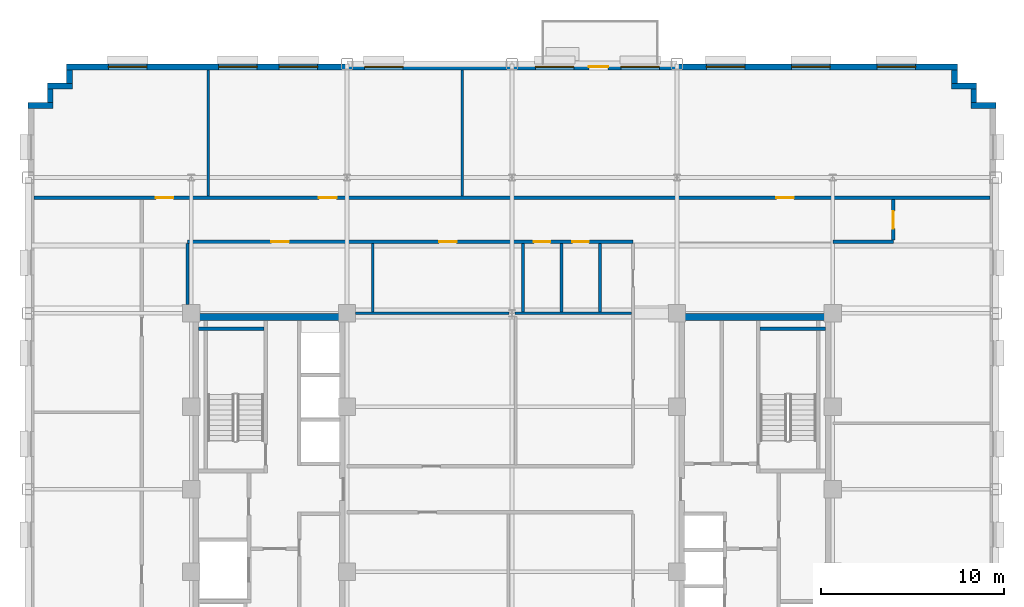
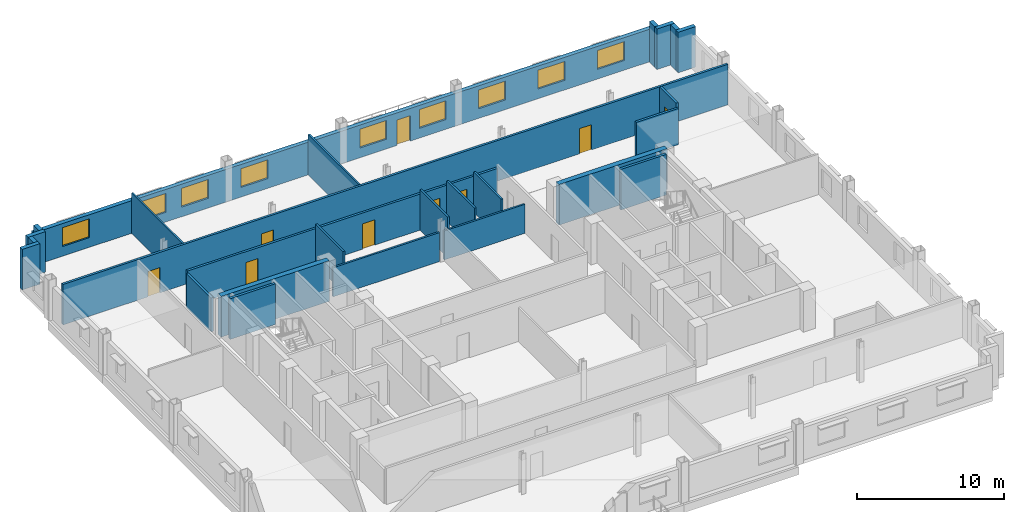
# One storey, part 9 of 14: 26 walls, 9 doors, 9 windows, 18 openings.
"""IFC4 building model written with IfcOpenShell, lengths in metres."""

from ifc_helpers import new_model, si_unit, direction, frame, frame_2d, origin, place, context, subcontext, project, spatial, rectangle, extrude, source, transform, mapped, material, layer, layer_set, type_object, type_shapes, element, fill, save


model = new_model("IFC4")

# Units and contexts
model_context = context("Model", 3, precision=1e-05, world=origin(), true_north=direction((0.0, 1.0)))
body_context = subcontext(model_context, "Body", "Model", "MODEL_VIEW")
ifc_project = project(units=[si_unit("LENGTHUNIT", "METRE"), si_unit("AREAUNIT", "SQUARE_METRE"), si_unit("VOLUMEUNIT", "CUBIC_METRE"), si_unit("PLANEANGLEUNIT", "RADIAN"), si_unit("MASSUNIT", "GRAM", prefix="KILO")], contexts=[model_context])

# Site, building, storey
site_placement = place(None, origin())
site = spatial("IfcSite", under=ifc_project, at=site_placement, CompositionType="ELEMENT")
building_placement = place(site_placement, origin())
building = spatial("IfcBuilding", under=site, at=building_placement, Name="Nuvemarco Arch Tower", CompositionType="ELEMENT")
storey_placement = place(building_placement, frame((0.0, 0.0, 142.10009765625)))
storey = spatial("IfcBuildingStorey", under=building, at=storey_placement, Name="L37", CompositionType="ELEMENT", Elevation=142.10009765625)

# Walls
ifc_material_1 = material(Name="Precast concrete C45/55", Category="concrete")
ifc_layer_1 = layer(ifc_material_1, 0.320068359375, Name="EW-MID-320")
ifc_layer_set_1 = layer_set([ifc_layer_1], Name="Precast concrete C45/55")
wall_type_1 = type_object("IfcWallType", Name="EW-MID-320", PredefinedType="STANDARD", material=ifc_layer_set_1)
wall_1_placement = place(storey_placement, frame((25.030029296875, 20.93994140625, 0.0), z_axis=(0.0, 0.0, 1.0), x_axis=(1.0, 0.0, 0.0)))
element("IfcWall", 1, at=wall_1_placement, inside=storey, type_object=wall_type_1, Name="L37 exterior precast facade wall 7", PredefinedType="STANDARD", context=body_context, shape_type="SweptSolid", body=[
    extrude(rectangle(XDim=1.369873046875, YDim=0.320068359375, at=frame_2d((0.68505859375, 0.0))), origin(), (0.0, 0.0, 1.0), 3.35986328125),
])
wall_2_placement = place(storey_placement, frame((25.18994140625, 21.095947265625, 0.0), z_axis=(0.0, 0.0, 1.0), x_axis=(0.0, 1.0, 0.0)))
element("IfcWall", 2, at=wall_2_placement, inside=storey, type_object=wall_type_1, Name="L37 exterior precast facade wall 8", PredefinedType="STANDARD", context=body_context, shape_type="SweptSolid", body=[
    extrude(rectangle(XDim=0.738037109375, YDim=0.320068359375, at=frame_2d((0.369140625, 0.0))), origin(), (0.0, 0.0, 1.0), 3.35986328125),
])
wall_3_placement = place(storey_placement, frame((23.97998046875, 21.989990234375, 0.0), z_axis=(0.0, 0.0, 1.0), x_axis=(1.0, 0.0, 0.0)))
element("IfcWall", 3, at=wall_3_placement, inside=storey, type_object=wall_type_1, Name="L37 exterior precast facade wall 9", PredefinedType="STANDARD", context=body_context, shape_type="SweptSolid", body=[
    extrude(rectangle(XDim=1.3701171875, YDim=0.320068359375, at=frame_2d((0.68505859375, 0.0))), origin(), (0.0, 0.0, 1.0), 3.35986328125),
])
wall_4_placement = place(storey_placement, frame((24.139892578125, 22.14599609375, 0.0), z_axis=(0.0, 0.0, 1.0), x_axis=(0.0, 1.0, 0.0)))
element("IfcWall", 4, at=wall_4_placement, inside=storey, type_object=wall_type_1, Name="L37 exterior precast facade wall 10", PredefinedType="STANDARD", context=body_context, shape_type="SweptSolid", body=[
    extrude(rectangle(XDim=0.738037109375, YDim=0.320068359375, at=frame_2d((0.369140625, 0.0))), origin(), (0.0, 0.0, 1.0), 3.35986328125),
])

# Wall, openings, door, windows
wall_5_placement = place(storey_placement, frame((-24.300048828125, 23.0400390625, 0.0), z_axis=(0.0, 0.0, 1.0), x_axis=(1.0, 0.0, 0.0)))
wall_5 = element("IfcWall", 5, at=wall_5_placement, inside=storey, type_object=wall_type_1, Name="L37 exterior precast facade wall 11", PredefinedType="STANDARD", context=body_context, shape_type="SweptSolid", body=[
    extrude(rectangle(XDim=48.60009765625, YDim=0.320068359375, at=frame_2d((24.300048828125, 0.0))), origin(), (0.0, 0.0, 1.0), 2.704833984375),
])
opening_1_placement = place(wall_5_placement, frame((28.5, 0.0, 0.0)))
opening_1 = element("IfcOpeningElement", 6, at=opening_1_placement, cuts=wall_5, Name="Opening ED-5", PredefinedType="OPENING", context=body_context, shape_type="SweptSolid", body=[
    extrude(rectangle(XDim=1.050048828125, YDim=2.10009765625, at=frame_2d((0.52490234375, 1.050048828125))), frame((0.0, 0.169921875, 0.0), z_axis=(0.0, -1.0, 0.0), x_axis=(1.0, 0.0, 0.0)), (0.0, 0.0, 1.0), 0.340087890625),
])
opening_2_placement = place(wall_5_placement, frame((2.280029296875, 0.0, 0.800048828125)))
opening_2 = element("IfcOpeningElement", 7, at=opening_2_placement, cuts=wall_5, Name="Opening WN-5", PredefinedType="OPENING", context=body_context, shape_type="SweptSolid", body=[
    extrude(rectangle(XDim=2.10009765625, YDim=1.56005859375, at=frame_2d((1.050048828125, 0.780029296875))), frame((0.0, 0.169921875, 0.0), z_axis=(0.0, -1.0, 0.0), x_axis=(1.0, 0.0, 0.0)), (0.0, 0.0, 1.0), 0.340087890625),
])
opening_3_placement = place(wall_5_placement, frame((8.2900390625, 0.0, 0.800048828125)))
opening_3 = element("IfcOpeningElement", 8, at=opening_3_placement, cuts=wall_5, Name="Opening WN-5", PredefinedType="OPENING", context=body_context, shape_type="SweptSolid", body=[
    extrude(rectangle(XDim=2.10009765625, YDim=1.56005859375, at=frame_2d((1.050048828125, 0.780029296875))), frame((0.0, 0.169921875, 0.0), z_axis=(0.0, -1.0, 0.0), x_axis=(1.0, 0.0, 0.0)), (0.0, 0.0, 1.0), 0.340087890625),
])
opening_4_placement = place(wall_5_placement, frame((11.60009765625, 0.0, 0.800048828125)))
opening_4 = element("IfcOpeningElement", 9, at=opening_4_placement, cuts=wall_5, Name="Opening WN-5", PredefinedType="OPENING", context=body_context, shape_type="SweptSolid", body=[
    extrude(rectangle(XDim=2.10009765625, YDim=1.56005859375, at=frame_2d((1.050048828125, 0.780029296875))), frame((0.0, 0.169921875, 0.0), z_axis=(0.0, -1.0, 0.0), x_axis=(1.0, 0.0, 0.0)), (0.0, 0.0, 1.0), 0.340087890625),
])
opening_5_placement = place(wall_5_placement, frame((16.260009765625, 0.0, 0.800048828125)))
opening_5 = element("IfcOpeningElement", 10, at=opening_5_placement, cuts=wall_5, Name="Opening WN-5", PredefinedType="OPENING", context=body_context, shape_type="SweptSolid", body=[
    extrude(rectangle(XDim=2.10009765625, YDim=1.56005859375, at=frame_2d((1.050048828125, 0.780029296875))), frame((0.0, 0.169921875, 0.0), z_axis=(0.0, -1.0, 0.0), x_axis=(1.0, 0.0, 0.0)), (0.0, 0.0, 1.0), 0.340087890625),
])
opening_6_placement = place(wall_5_placement, frame((25.580078125, 0.0, 0.800048828125)))
opening_6 = element("IfcOpeningElement", 11, at=opening_6_placement, cuts=wall_5, Name="Opening WN-5", PredefinedType="OPENING", context=body_context, shape_type="SweptSolid", body=[
    extrude(rectangle(XDim=2.10009765625, YDim=1.56005859375, at=frame_2d((1.050048828125, 0.780029296875))), frame((0.0, 0.169921875, 0.0), z_axis=(0.0, -1.0, 0.0), x_axis=(1.0, 0.0, 0.0)), (0.0, 0.0, 1.0), 0.340087890625),
])
opening_7_placement = place(wall_5_placement, frame((30.239990234375, 0.0, 0.800048828125)))
opening_7 = element("IfcOpeningElement", 12, at=opening_7_placement, cuts=wall_5, Name="Opening WN-5", PredefinedType="OPENING", context=body_context, shape_type="SweptSolid", body=[
    extrude(rectangle(XDim=2.10009765625, YDim=1.56005859375, at=frame_2d((1.050048828125, 0.780029296875))), frame((0.0, 0.169921875, 0.0), z_axis=(0.0, -1.0, 0.0), x_axis=(1.0, 0.0, 0.0)), (0.0, 0.0, 1.0), 0.340087890625),
])
opening_8_placement = place(wall_5_placement, frame((34.89990234375, 0.0, 0.800048828125)))
opening_8 = element("IfcOpeningElement", 13, at=opening_8_placement, cuts=wall_5, Name="Opening WN-5", PredefinedType="OPENING", context=body_context, shape_type="SweptSolid", body=[
    extrude(rectangle(XDim=2.10009765625, YDim=1.56005859375, at=frame_2d((1.050048828125, 0.780029296875))), frame((0.0, 0.169921875, 0.0), z_axis=(0.0, -1.0, 0.0), x_axis=(1.0, 0.0, 0.0)), (0.0, 0.0, 1.0), 0.340087890625),
])
opening_9_placement = place(wall_5_placement, frame((39.56005859375, 0.0, 0.800048828125)))
opening_9 = element("IfcOpeningElement", 14, at=opening_9_placement, cuts=wall_5, Name="Opening WN-5", PredefinedType="OPENING", context=body_context, shape_type="SweptSolid", body=[
    extrude(rectangle(XDim=2.10009765625, YDim=1.56005859375, at=frame_2d((1.050048828125, 0.780029296875))), frame((0.0, 0.169921875, 0.0), z_axis=(0.0, -1.0, 0.0), x_axis=(1.0, 0.0, 0.0)), (0.0, 0.0, 1.0), 0.340087890625),
])
opening_10_placement = place(wall_5_placement, frame((44.219970703125, 0.0, 0.800048828125)))
opening_10 = element("IfcOpeningElement", 15, at=opening_10_placement, cuts=wall_5, Name="Opening WN-5", PredefinedType="OPENING", context=body_context, shape_type="SweptSolid", body=[
    extrude(rectangle(XDim=2.10009765625, YDim=1.56005859375, at=frame_2d((1.050048828125, 0.780029296875))), frame((0.0, 0.169921875, 0.0), z_axis=(0.0, -1.0, 0.0), x_axis=(1.0, 0.0, 0.0)), (0.0, 0.0, 1.0), 0.340087890625),
])
ifc_material_2 = material(Name="Anodised bronze and laminated glass", Category="glass")
door_type_1 = type_object("IfcDoorType", Name="DR-EXT-TERR", OperationType="NOTDEFINED", PredefinedType="DOOR", material=ifc_material_2)
shared_shape_1 = source(origin(), body_context, "Body", "SweptSolid", [
    extrude(rectangle(XDim=1.050048828125, YDim=2.10009765625, at=frame_2d((0.52490234375, 1.050048828125))), frame((0.0, 0.02490234375, 0.0), z_axis=(0.0, -1.0, 0.0), x_axis=(1.0, 0.0, 0.0)), (0.0, 0.0, 1.0), 0.050048828125),
])
type_shapes(door_type_1, [shared_shape_1])
door_1_placement = place(opening_1_placement, origin())
door_1 = element("IfcDoor", 16, at=door_1_placement, inside=storey, type_object=door_type_1, Name="L37 spiral terrace access door", OperationType="SINGLE_SWING_LEFT", OverallHeight=2.10009765625, OverallWidth=1.050048828125, PredefinedType="DOOR", context=body_context, shape_type="MappedRepresentation", body=[
    mapped(shared_shape_1, transform((0.0, 0.0, 0.0), scale=1.0)),
])
fill(opening_1, door_1)
ifc_material_3 = material(Name="Insulated solar-control glass", Category="glass")
window_type = type_object("IfcWindowType", Name="WN-MID-2100x1560", PartitioningType="DOUBLE_PANEL_VERTICAL", PredefinedType="WINDOW", material=ifc_material_3)
shared_shape_2 = source(origin(), body_context, "Body", "SweptSolid", [
    extrude(rectangle(XDim=2.10009765625, YDim=1.56005859375, at=frame_2d((1.050048828125, 0.780029296875))), frame((0.0, 0.030029296875, 0.0), z_axis=(0.0, -1.0, 0.0), x_axis=(1.0, 0.0, 0.0)), (0.0, 0.0, 1.0), 0.06005859375),
])
type_shapes(window_type, [shared_shape_2])
window_1_placement = place(opening_2_placement, origin())
window_1 = element("IfcWindow", 17, at=window_1_placement, inside=storey, type_object=window_type, Name="L37 punched facade window 1", OverallHeight=1.56005859375, OverallWidth=2.10009765625, PartitioningType="SINGLE_PANEL", PredefinedType="WINDOW", context=body_context, shape_type="MappedRepresentation", body=[
    mapped(shared_shape_2, transform((0.0, 0.0, 0.0), scale=1.0)),
])
fill(opening_2, window_1)
window_2_placement = place(opening_3_placement, origin())
window_2 = element("IfcWindow", 18, at=window_2_placement, inside=storey, type_object=window_type, Name="L37 punched facade window 2", OverallHeight=1.56005859375, OverallWidth=2.10009765625, PartitioningType="SINGLE_PANEL", PredefinedType="WINDOW", context=body_context, shape_type="MappedRepresentation", body=[
    mapped(shared_shape_2, transform((0.0, 0.0, 0.0), scale=1.0)),
])
fill(opening_3, window_2)
window_3_placement = place(opening_4_placement, origin())
window_3 = element("IfcWindow", 19, at=window_3_placement, inside=storey, type_object=window_type, Name="L37 punched facade window 3", OverallHeight=1.56005859375, OverallWidth=2.10009765625, PartitioningType="SINGLE_PANEL", PredefinedType="WINDOW", context=body_context, shape_type="MappedRepresentation", body=[
    mapped(shared_shape_2, transform((0.0, 0.0, 0.0), scale=1.0)),
])
fill(opening_4, window_3)
window_4_placement = place(opening_5_placement, origin())
window_4 = element("IfcWindow", 20, at=window_4_placement, inside=storey, type_object=window_type, Name="L37 punched facade window 4", OverallHeight=1.56005859375, OverallWidth=2.10009765625, PartitioningType="SINGLE_PANEL", PredefinedType="WINDOW", context=body_context, shape_type="MappedRepresentation", body=[
    mapped(shared_shape_2, transform((0.0, 0.0, 0.0), scale=1.0)),
])
fill(opening_5, window_4)
window_5_placement = place(opening_6_placement, origin())
window_5 = element("IfcWindow", 21, at=window_5_placement, inside=storey, type_object=window_type, Name="L37 punched facade window 6", OverallHeight=1.56005859375, OverallWidth=2.10009765625, PartitioningType="SINGLE_PANEL", PredefinedType="WINDOW", context=body_context, shape_type="MappedRepresentation", body=[
    mapped(shared_shape_2, transform((0.0, 0.0, 0.0), scale=1.0)),
])
fill(opening_6, window_5)
window_6_placement = place(opening_7_placement, origin())
window_6 = element("IfcWindow", 22, at=window_6_placement, inside=storey, type_object=window_type, Name="L37 punched facade window 7", OverallHeight=1.56005859375, OverallWidth=2.10009765625, PartitioningType="SINGLE_PANEL", PredefinedType="WINDOW", context=body_context, shape_type="MappedRepresentation", body=[
    mapped(shared_shape_2, transform((0.0, 0.0, 0.0), scale=1.0)),
])
fill(opening_7, window_6)
window_7_placement = place(opening_8_placement, origin())
window_7 = element("IfcWindow", 23, at=window_7_placement, inside=storey, type_object=window_type, Name="L37 punched facade window 8", OverallHeight=1.56005859375, OverallWidth=2.10009765625, PartitioningType="SINGLE_PANEL", PredefinedType="WINDOW", context=body_context, shape_type="MappedRepresentation", body=[
    mapped(shared_shape_2, transform((0.0, 0.0, 0.0), scale=1.0)),
])
fill(opening_8, window_7)
window_8_placement = place(opening_9_placement, origin())
window_8 = element("IfcWindow", 24, at=window_8_placement, inside=storey, type_object=window_type, Name="L37 punched facade window 9", OverallHeight=1.56005859375, OverallWidth=2.10009765625, PartitioningType="SINGLE_PANEL", PredefinedType="WINDOW", context=body_context, shape_type="MappedRepresentation", body=[
    mapped(shared_shape_2, transform((0.0, 0.0, 0.0), scale=1.0)),
])
fill(opening_9, window_8)
window_9_placement = place(opening_10_placement, origin())
window_9 = element("IfcWindow", 25, at=window_9_placement, inside=storey, type_object=window_type, Name="L37 punched facade window 10", OverallHeight=1.56005859375, OverallWidth=2.10009765625, PartitioningType="SINGLE_PANEL", PredefinedType="WINDOW", context=body_context, shape_type="MappedRepresentation", body=[
    mapped(shared_shape_2, transform((0.0, 0.0, 0.0), scale=1.0)),
])
fill(opening_10, window_9)

# Walls
wall_6_placement = place(storey_placement, frame((-24.139892578125, 22.14599609375, 0.0), z_axis=(0.0, 0.0, 1.0), x_axis=(0.0, 1.0, 0.0)))
element("IfcWall", 26, at=wall_6_placement, inside=storey, type_object=wall_type_1, Name="L37 exterior precast facade wall 12", PredefinedType="STANDARD", context=body_context, shape_type="SweptSolid", body=[
    extrude(rectangle(XDim=0.738037109375, YDim=0.320068359375, at=frame_2d((0.369140625, 0.0))), origin(), (0.0, 0.0, 1.0), 3.35986328125),
])
wall_7_placement = place(storey_placement, frame((-25.35009765625, 21.989990234375, 0.0), z_axis=(0.0, 0.0, 1.0), x_axis=(1.0, 0.0, 0.0)))
element("IfcWall", 27, at=wall_7_placement, inside=storey, type_object=wall_type_1, Name="L37 exterior precast facade wall 13", PredefinedType="STANDARD", context=body_context, shape_type="SweptSolid", body=[
    extrude(rectangle(XDim=1.3701171875, YDim=0.320068359375, at=frame_2d((0.68505859375, 0.0))), origin(), (0.0, 0.0, 1.0), 3.35986328125),
])
wall_8_placement = place(storey_placement, frame((-25.18994140625, 21.095947265625, 0.0), z_axis=(0.0, 0.0, 1.0), x_axis=(0.0, 1.0, 0.0)))
element("IfcWall", 28, at=wall_8_placement, inside=storey, type_object=wall_type_1, Name="L37 exterior precast facade wall 14", PredefinedType="STANDARD", context=body_context, shape_type="SweptSolid", body=[
    extrude(rectangle(XDim=0.738037109375, YDim=0.320068359375, at=frame_2d((0.369140625, 0.0))), origin(), (0.0, 0.0, 1.0), 3.35986328125),
])
wall_9_placement = place(storey_placement, frame((-26.39990234375, 20.93994140625, 0.0), z_axis=(0.0, 0.0, 1.0), x_axis=(1.0, 0.0, 0.0)))
element("IfcWall", 29, at=wall_9_placement, inside=storey, type_object=wall_type_1, Name="L37 exterior precast facade wall 15", PredefinedType="STANDARD", context=body_context, shape_type="SweptSolid", body=[
    extrude(rectangle(XDim=1.369873046875, YDim=0.320068359375, at=frame_2d((0.68505859375, 0.0))), origin(), (0.0, 0.0, 1.0), 3.35986328125),
])
ifc_material_4 = material(Name="Concrete C60/75", Category="concrete")
ifc_layer_2 = layer(ifc_material_4, 0.39990234375, Name="WL-CORE-400")
ifc_layer_set_2 = layer_set([ifc_layer_2], Name="Concrete C60/75")
wall_type_2 = type_object("IfcWallType", Name="WL-CORE-400", PredefinedType="SHEAR", material=ifc_layer_set_2)
for number, where, z_axis, x_axis, name in (
    (30, (-17.5, 9.39990234375, 0.0), (0.0, 0.0, 1.0), (1.0, 0.0, 0.0), "L37 W-core shear wall N"),
    (31, (9.0, 9.39990234375, 0.0), (0.0, 0.0, 1.0), (1.0, 0.0, 0.0), "L37 E-core shear wall N"),
):
    element("IfcWall", number, at=place(storey_placement, frame(where, z_axis=z_axis, x_axis=x_axis)), inside=storey, type_object=wall_type_2, Name=name, PredefinedType="SHEAR", context=body_context, shape_type="SweptSolid", body=[
        extrude(rectangle(XDim=8.5, YDim=0.39990234375, at=frame_2d((4.25, 0.0))), origin(), (0.0, 0.0, 1.0), 3.369873046875),
    ])

# Wall, openings, doors
ifc_material_5 = material(Name="Fire-rated gypsum drywall partition")
ifc_layer_3 = layer(ifc_material_5, 0.179931640625, Name="WL-CORR-180")
ifc_layer_set_3 = layer_set([ifc_layer_3], Name="Fire-rated gypsum drywall partition")
wall_type_3 = type_object("IfcWallType", Name="WL-CORR-180", PredefinedType="PARTITIONING", material=ifc_layer_set_3)
wall_10_placement = place(storey_placement, frame((-17.699951171875, 13.5, 0.0), z_axis=(0.0, 0.0, 1.0), x_axis=(1.0, 0.0, 0.0)))
wall_10 = element("IfcWall", 32, at=wall_10_placement, inside=storey, type_object=wall_type_3, Name="L37 interior wall IW-L37-012", PredefinedType="PARTITIONING", context=body_context, shape_type="SweptSolid", body=[
    extrude(rectangle(XDim=24.300048828125, YDim=0.179931640625, at=frame_2d((12.14990234375, 0.0))), origin(), (0.0, 0.0, 1.0), 2.997802734375),
])
opening_11_placement = place(wall_10_placement, frame((4.570068359375, 0.0, 0.0)))
opening_11 = element("IfcOpeningElement", 33, at=opening_11_placement, cuts=wall_10, Name="Opening FD-5", PredefinedType="OPENING", context=body_context, shape_type="SweptSolid", body=[
    extrude(rectangle(XDim=0.9599609375, YDim=2.10009765625, at=frame_2d((0.47998046875, 1.050048828125))), frame((0.0, 0.099853515625, 0.0), z_axis=(0.0, -1.0, 0.0), x_axis=(1.0, 0.0, 0.0)), (0.0, 0.0, 1.0), 0.199951171875),
])
opening_12_placement = place(wall_10_placement, frame((13.719970703125, 0.0, 0.0)))
opening_12 = element("IfcOpeningElement", 34, at=opening_12_placement, cuts=wall_10, Name="Opening FD-5", PredefinedType="OPENING", context=body_context, shape_type="SweptSolid", body=[
    extrude(rectangle(XDim=0.9599609375, YDim=2.10009765625, at=frame_2d((0.47998046875, 1.050048828125))), frame((0.0, 0.099853515625, 0.0), z_axis=(0.0, -1.0, 0.0), x_axis=(1.0, 0.0, 0.0)), (0.0, 0.0, 1.0), 0.199951171875),
])
opening_13_placement = place(wall_10_placement, frame((18.89990234375, 0.0, 0.0)))
opening_13 = element("IfcOpeningElement", 35, at=opening_13_placement, cuts=wall_10, Name="Opening ID-3", PredefinedType="OPENING", context=body_context, shape_type="SweptSolid", body=[
    extrude(rectangle(XDim=0.89990234375, YDim=2.10009765625, at=frame_2d((0.449951171875, 1.050048828125))), frame((0.0, 0.099853515625, 0.0), z_axis=(0.0, -1.0, 0.0), x_axis=(1.0, 0.0, 0.0)), (0.0, 0.0, 1.0), 0.199951171875),
])
opening_14_placement = place(wall_10_placement, frame((21.0, 0.0, 0.0)))
opening_14 = element("IfcOpeningElement", 36, at=opening_14_placement, cuts=wall_10, Name="Opening ID-3", PredefinedType="OPENING", context=body_context, shape_type="SweptSolid", body=[
    extrude(rectangle(XDim=0.89990234375, YDim=2.10009765625, at=frame_2d((0.449951171875, 1.050048828125))), frame((0.0, 0.099853515625, 0.0), z_axis=(0.0, -1.0, 0.0), x_axis=(1.0, 0.0, 0.0)), (0.0, 0.0, 1.0), 0.199951171875),
])
ifc_material_6 = material(Name="Timber fire door", Category="wood")
door_type_2 = type_object("IfcDoorType", Name="DR-CORR-FD", OperationType="NOTDEFINED", PredefinedType="DOOR", material=ifc_material_6)
shared_shape_3 = source(origin(), body_context, "Body", "SweptSolid", [
    extrude(rectangle(XDim=0.9599609375, YDim=2.10009765625, at=frame_2d((0.47998046875, 1.050048828125))), frame((0.0, 0.02490234375, 0.0), z_axis=(0.0, -1.0, 0.0), x_axis=(1.0, 0.0, 0.0)), (0.0, 0.0, 1.0), 0.050048828125),
])
type_shapes(door_type_2, [shared_shape_3])
door_2_placement = place(opening_11_placement, origin())
door_2 = element("IfcDoor", 37, at=door_2_placement, inside=storey, type_object=door_type_2, Name="L37 door DR-L37-IN_N1", OperationType="SINGLE_SWING_LEFT", OverallHeight=2.10009765625, OverallWidth=0.9599609375, PredefinedType="DOOR", context=body_context, shape_type="MappedRepresentation", body=[
    mapped(shared_shape_3, transform((0.0, 0.0, 0.0), scale=1.0)),
])
fill(opening_11, door_2)
door_3_placement = place(opening_12_placement, origin())
door_3 = element("IfcDoor", 38, at=door_3_placement, inside=storey, type_object=door_type_2, Name="L37 door DR-L37-IN_N2", OperationType="SINGLE_SWING_LEFT", OverallHeight=2.10009765625, OverallWidth=0.9599609375, PredefinedType="DOOR", context=body_context, shape_type="MappedRepresentation", body=[
    mapped(shared_shape_3, transform((0.0, 0.0, 0.0), scale=1.0)),
])
fill(opening_12, door_3)
ifc_material_7 = material(Name="Veneered oak timber fire door", Category="wood")
door_type_3 = type_object("IfcDoorType", Name="DR-WC-ACC", OperationType="NOTDEFINED", PredefinedType="DOOR", material=ifc_material_7)
shared_shape_4 = source(origin(), body_context, "Body", "SweptSolid", [
    extrude(rectangle(XDim=0.89990234375, YDim=2.10009765625, at=frame_2d((0.449951171875, 1.050048828125))), frame((0.0, 0.02490234375, 0.0), z_axis=(0.0, -1.0, 0.0), x_axis=(1.0, 0.0, 0.0)), (0.0, 0.0, 1.0), 0.050048828125),
])
type_shapes(door_type_3, [shared_shape_4])
door_4_placement = place(opening_13_placement, origin())
door_4 = element("IfcDoor", 39, at=door_4_placement, inside=storey, type_object=door_type_3, Name="L37 door DR-L37-WC_M", OperationType="SINGLE_SWING_RIGHT", OverallHeight=2.10009765625, OverallWidth=0.89990234375, PredefinedType="DOOR", context=body_context, shape_type="MappedRepresentation", body=[
    mapped(shared_shape_4, transform((0.0, 0.0, 0.0), scale=1.0)),
])
fill(opening_13, door_4)
door_5_placement = place(opening_14_placement, origin())
door_5 = element("IfcDoor", 40, at=door_5_placement, inside=storey, type_object=door_type_3, Name="L37 door DR-L37-WC_F", OperationType="SINGLE_SWING_LEFT", OverallHeight=2.10009765625, OverallWidth=0.89990234375, PredefinedType="DOOR", context=body_context, shape_type="MappedRepresentation", body=[
    mapped(shared_shape_4, transform((0.0, 0.0, 0.0), scale=1.0)),
])
fill(opening_14, door_5)

# Wall
wall_11_placement = place(storey_placement, frame((17.5, 13.5, 0.0), z_axis=(0.0, 0.0, 1.0), x_axis=(1.0, 0.0, 0.0)))
element("IfcWall", 41, at=wall_11_placement, inside=storey, type_object=wall_type_3, Name="L37 interior wall IW-L37-013", PredefinedType="PARTITIONING", context=body_context, shape_type="SweptSolid", body=[
    extrude(rectangle(XDim=3.300048828125, YDim=0.179931640625, at=frame_2d((1.64990234375, 0.0))), origin(), (0.0, 0.0, 1.0), 2.997802734375),
])

# Wall, openings, doors
wall_12_placement = place(storey_placement, frame((-26.080078125, 15.89990234375, 0.0), z_axis=(0.0, 0.0, 1.0), x_axis=(1.0, 0.0, 0.0)))
wall_12 = element("IfcWall", 42, at=wall_12_placement, inside=storey, type_object=wall_type_3, Name="L37 interior wall IW-L37-014", PredefinedType="PARTITIONING", context=body_context, shape_type="SweptSolid", body=[
    extrude(rectangle(XDim=52.16015625, YDim=0.179931640625, at=frame_2d((26.080078125, 0.0))), origin(), (0.0, 0.0, 1.0), 3.35986328125),
])
opening_15_placement = place(wall_12_placement, frame((15.550048828125, 0.0, 0.0)))
opening_15 = element("IfcOpeningElement", 43, at=opening_15_placement, cuts=wall_12, Name="Opening FD-5", PredefinedType="OPENING", context=body_context, shape_type="SweptSolid", body=[
    extrude(rectangle(XDim=0.9599609375, YDim=2.10009765625, at=frame_2d((0.47998046875, 1.050048828125))), frame((0.0, 0.099853515625, 0.0), z_axis=(0.0, -1.0, 0.0), x_axis=(1.0, 0.0, 0.0)), (0.0, 0.0, 1.0), 0.199951171875),
])
opening_16_placement = place(wall_12_placement, frame((40.5, 0.0, 0.0)))
opening_16 = element("IfcOpeningElement", 44, at=opening_16_placement, cuts=wall_12, Name="Opening FD-5", PredefinedType="OPENING", context=body_context, shape_type="SweptSolid", body=[
    extrude(rectangle(XDim=0.9599609375, YDim=2.10009765625, at=frame_2d((0.47998046875, 1.050048828125))), frame((0.0, 0.099853515625, 0.0), z_axis=(0.0, -1.0, 0.0), x_axis=(1.0, 0.0, 0.0)), (0.0, 0.0, 1.0), 0.199951171875),
])
opening_17_placement = place(wall_12_placement, frame((6.64990234375, 0.0, 0.0)))
opening_17 = element("IfcOpeningElement", 45, at=opening_17_placement, cuts=wall_12, Name="Opening FD-5", PredefinedType="OPENING", context=body_context, shape_type="SweptSolid", body=[
    extrude(rectangle(XDim=0.9599609375, YDim=2.10009765625, at=frame_2d((0.47998046875, 1.050048828125))), frame((0.0, 0.099853515625, 0.0), z_axis=(0.0, -1.0, 0.0), x_axis=(1.0, 0.0, 0.0)), (0.0, 0.0, 1.0), 0.199951171875),
])
door_6_placement = place(opening_15_placement, origin())
door_6 = element("IfcDoor", 46, at=door_6_placement, inside=storey, type_object=door_type_2, Name="L37 door DR-L37-N_2", OperationType="SINGLE_SWING_RIGHT", OverallHeight=2.10009765625, OverallWidth=0.9599609375, PredefinedType="DOOR", context=body_context, shape_type="MappedRepresentation", body=[
    mapped(shared_shape_3, transform((0.0, 0.0, 0.0), scale=1.0)),
])
fill(opening_15, door_6)
door_7_placement = place(opening_16_placement, origin())
door_7 = element("IfcDoor", 47, at=door_7_placement, inside=storey, type_object=door_type_2, Name="L37 door DR-L37-N_3", OperationType="SINGLE_SWING_LEFT", OverallHeight=2.10009765625, OverallWidth=0.9599609375, PredefinedType="DOOR", context=body_context, shape_type="MappedRepresentation", body=[
    mapped(shared_shape_3, transform((0.0, 0.0, 0.0), scale=1.0)),
])
fill(opening_16, door_7)
door_8_placement = place(opening_17_placement, origin())
door_8 = element("IfcDoor", 48, at=door_8_placement, inside=storey, type_object=door_type_2, Name="L37 door DR-L37-N_1", OperationType="SINGLE_SWING_LEFT", OverallHeight=2.10009765625, OverallWidth=0.9599609375, PredefinedType="DOOR", context=body_context, shape_type="MappedRepresentation", body=[
    mapped(shared_shape_3, transform((0.0, 0.0, 0.0), scale=1.0)),
])
fill(opening_17, door_8)

# Wall
wall_13_placement = place(storey_placement, frame((-17.699951171875, 10.071044921875, 0.0), z_axis=(0.0, 0.0, 1.0), x_axis=(0.0, 1.0, 0.0)))
element("IfcWall", 49, at=wall_13_placement, inside=storey, type_object=wall_type_3, Name="L37 interior wall IW-L37-017", PredefinedType="PARTITIONING", context=body_context, shape_type="SweptSolid", body=[
    extrude(rectangle(XDim=3.343017578125, YDim=0.179931640625, at=frame_2d((1.67138671875, 0.0))), origin(), (0.0, 0.0, 1.0), 2.81591796875),
])

# Wall, opening, door
wall_14_placement = place(storey_placement, frame((20.800048828125, 13.5859375, 0.0), z_axis=(0.0, 0.0, 1.0), x_axis=(0.0, 1.0, 0.0)))
wall_14 = element("IfcWall", 50, at=wall_14_placement, inside=storey, type_object=wall_type_3, Name="L37 interior wall IW-L37-030", PredefinedType="PARTITIONING", context=body_context, shape_type="SweptSolid", body=[
    extrude(rectangle(XDim=2.22802734375, YDim=0.179931640625, at=frame_2d((1.114013671875, 0.0))), origin(), (0.0, 0.0, 1.0), 3.35986328125),
])
opening_18_placement = place(wall_14_placement, frame((0.634033203125, 0.0, 0.0)))
opening_18 = element("IfcOpeningElement", 51, at=opening_18_placement, cuts=wall_14, Name="Opening FD-5", PredefinedType="OPENING", context=body_context, shape_type="SweptSolid", body=[
    extrude(rectangle(XDim=0.9599609375, YDim=2.10009765625, at=frame_2d((0.47998046875, 1.050048828125))), frame((0.0, 0.099853515625, 0.0), z_axis=(0.0, -1.0, 0.0), x_axis=(1.0, 0.0, 0.0)), (0.0, 0.0, 1.0), 0.199951171875),
])
door_9_placement = place(opening_18_placement, origin())
door_9 = element("IfcDoor", 52, at=door_9_placement, inside=storey, type_object=door_type_2, Name="L37 door DR-L37-E_2", OperationType="SINGLE_SWING_LEFT", OverallHeight=2.10009765625, OverallWidth=0.9599609375, PredefinedType="DOOR", context=body_context, shape_type="MappedRepresentation", body=[
    mapped(shared_shape_3, transform((0.0, 0.0, 0.0), scale=1.0)),
])
fill(opening_18, door_9)

# Walls
ifc_material_8 = material(Name="Glazed acoustic office partition")
ifc_layer_4 = layer(ifc_material_8, 0.1298828125, Name="WL-EXEC-130")
ifc_layer_set_4 = layer_set([ifc_layer_4], Name="Glazed acoustic office partition")
wall_type_4 = type_object("IfcWallType", Name="WL-EXEC-130", PredefinedType="PARTITIONING", material=ifc_layer_set_4)
for number, where, z_axis, x_axis, name in (
    (53, (-16.570068359375, 15.986083984375, 0.0), (0.0, 0.0, 1.0), (0.0, 1.0, 0.0), "L37 interior wall IW-L37-018"),
    (54, (-2.7099609375, 15.986083984375, 0.0), (0.0, 0.0, 1.0), (0.0, 1.0, 0.0), "L37 interior wall IW-L37-020"),
):
    element("IfcWall", number, at=place(storey_placement, frame(where, z_axis=z_axis, x_axis=x_axis)), inside=storey, type_object=wall_type_4, Name=name, PredefinedType="PARTITIONING", context=body_context, shape_type="SweptSolid", body=[
        extrude(rectangle(XDim=6.893798828125, YDim=0.1298828125, at=frame_2d((3.44677734375, 0.0))), origin(), (0.0, 0.0, 1.0), 3.35986328125),
    ])
ifc_material_9 = material(Name="Gypsum plasterboard partition")
ifc_layer_5 = layer(ifc_material_9, 0.139892578125, Name="WL-ROOM-140")
ifc_layer_set_5 = layer_set([ifc_layer_5], Name="Gypsum plasterboard partition")
wall_type_5 = type_object("IfcWallType", Name="WL-ROOM-140", PredefinedType="PARTITIONING", material=ifc_layer_set_5)
wall_15_placement = place(storey_placement, frame((-7.60009765625, 9.6708984375, 0.0), z_axis=(0.0, 0.0, 1.0), x_axis=(0.0, 1.0, 0.0)))
element("IfcWall", 55, at=wall_15_placement, inside=storey, type_object=wall_type_5, Name="L37 interior wall IW-L37-019", PredefinedType="PARTITIONING", context=body_context, shape_type="SweptSolid", body=[
    extrude(rectangle(XDim=3.7431640625, YDim=0.139892578125, at=frame_2d((1.87158203125, 0.0))), origin(), (0.0, 0.0, 1.0), 3.35986328125),
])
ifc_material_10 = material(Name="Concrete C50/60", Category="concrete")
ifc_layer_6 = layer(ifc_material_10, 0.199951171875, Name="WL-SHAFT-220")
ifc_layer_set_6 = layer_set([ifc_layer_6], Name="Concrete C50/60")
wall_type_6 = type_object("IfcWallType", Name="WL-SHAFT-220", PredefinedType="SHEAR", material=ifc_layer_set_6)
for number, where, z_axis, x_axis, name in (
    (56, (-17.10498046875, 8.75, 0.0), (0.0, 0.0, 1.0), (1.0, 0.0, 0.0), "L37 structural shaft wall SW-L37-W-ST1N"),
    (57, (13.534912109375, 8.75, 0.0), (0.0, 0.0, 1.0), (1.0, 0.0, 0.0), "L37 structural shaft wall SW-L37-E-ST2N"),
):
    element("IfcWall", number, at=place(storey_placement, frame(where, z_axis=z_axis, x_axis=x_axis)), inside=storey, type_object=wall_type_6, Name=name, PredefinedType="SHEAR", context=body_context, shape_type="SweptSolid", body=[
        extrude(rectangle(XDim=3.570068359375, YDim=0.199951171875, at=frame_2d((1.78515625, 0.0))), origin(), (0.0, 0.0, 1.0), 3.369873046875),
    ])
ifc_material_11 = material(Name="Moisture-resistant gypsum partition")
ifc_layer_7 = layer(ifc_material_11, 0.14990234375, Name="WL-WET-150")
ifc_layer_set_7 = layer_set([ifc_layer_7], Name="Moisture-resistant gypsum partition")
wall_type_7 = type_object("IfcWallType", Name="WL-WET-150", PredefinedType="PARTITIONING", material=ifc_layer_set_7)
wall_16_placement = place(storey_placement, frame((-8.529052734375, 9.60009765625, 0.0), z_axis=(0.0, 0.0, 1.0), x_axis=(1.0, 0.0, 0.0)))
element("IfcWall", 58, at=wall_16_placement, inside=storey, type_object=wall_type_7, Name="L37 interior wall IW-L37-010", PredefinedType="PARTITIONING", context=body_context, shape_type="SweptSolid", body=[
    extrude(rectangle(XDim=8.35302734375, YDim=0.14990234375, at=frame_2d((4.176513671875, 0.0))), origin(), (0.0, 0.0, 1.0), 2.40478515625),
])
wall_17_placement = place(storey_placement, frame((0.176025390625, 9.60009765625, 0.0), z_axis=(0.0, 0.0, 1.0), x_axis=(1.0, 0.0, 0.0)))
element("IfcWall", 59, at=wall_17_placement, inside=storey, type_object=wall_type_7, Name="L37 interior wall IW-L37-011", PredefinedType="PARTITIONING", context=body_context, shape_type="SweptSolid", body=[
    extrude(rectangle(XDim=6.337890625, YDim=0.14990234375, at=frame_2d((3.1689453125, 0.0))), origin(), (0.0, 0.0, 1.0), 2.40478515625),
])
for number, where, z_axis, x_axis, name in (
    (60, (0.60009765625, 9.6708984375, 0.0), (0.0, 0.0, 1.0), (0.0, 1.0, 0.0), "L37 interior wall IW-L37-023"),
    (61, (2.699951171875, 9.6708984375, 0.0), (0.0, 0.0, 1.0), (0.0, 1.0, 0.0), "L37 interior wall IW-L37-024"),
    (62, (4.800048828125, 9.6708984375, 0.0), (0.0, 0.0, 1.0), (0.0, 1.0, 0.0), "L37 interior wall IW-L37-026"),
):
    element("IfcWall", number, at=place(storey_placement, frame(where, z_axis=z_axis, x_axis=x_axis)), inside=storey, type_object=wall_type_7, Name=name, PredefinedType="PARTITIONING", context=body_context, shape_type="SweptSolid", body=[
        extrude(rectangle(XDim=3.7431640625, YDim=0.14990234375, at=frame_2d((1.87158203125, 0.0))), origin(), (0.0, 0.0, 1.0), 3.35986328125),
    ])

save(model, "model.ifc")
